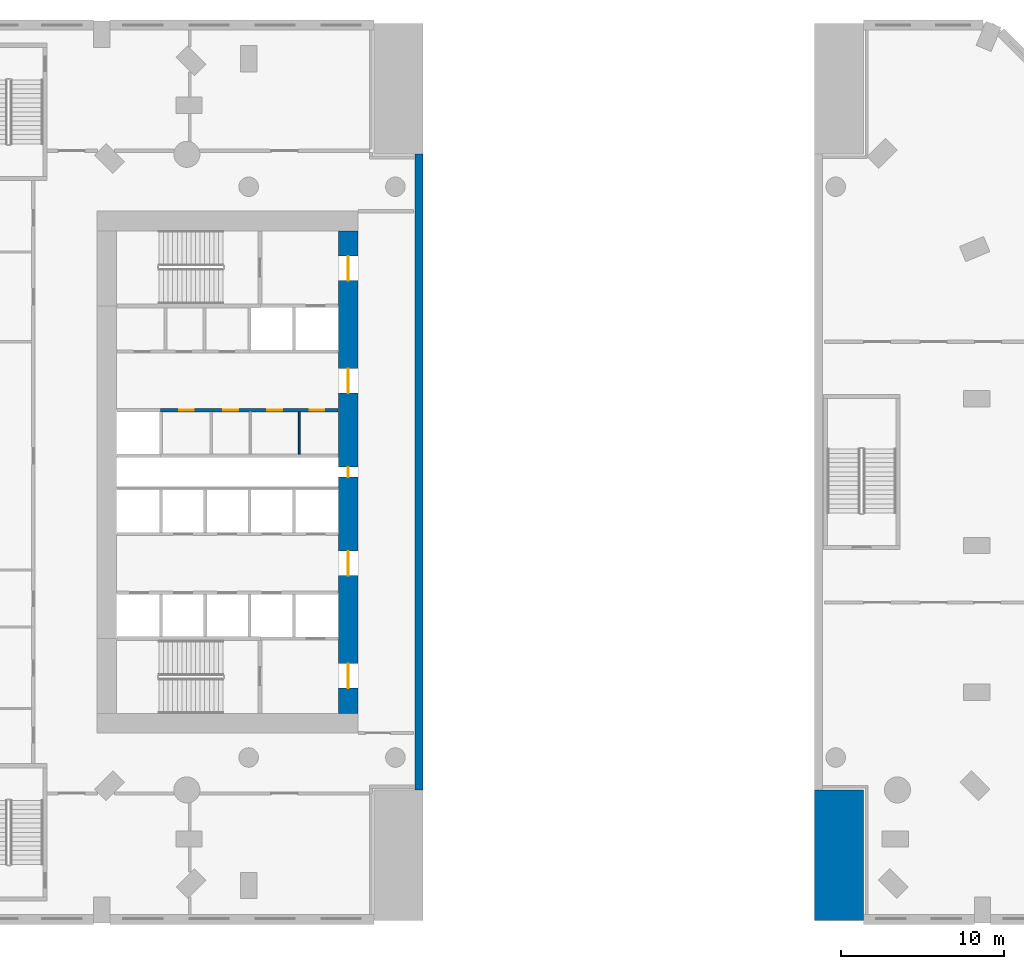
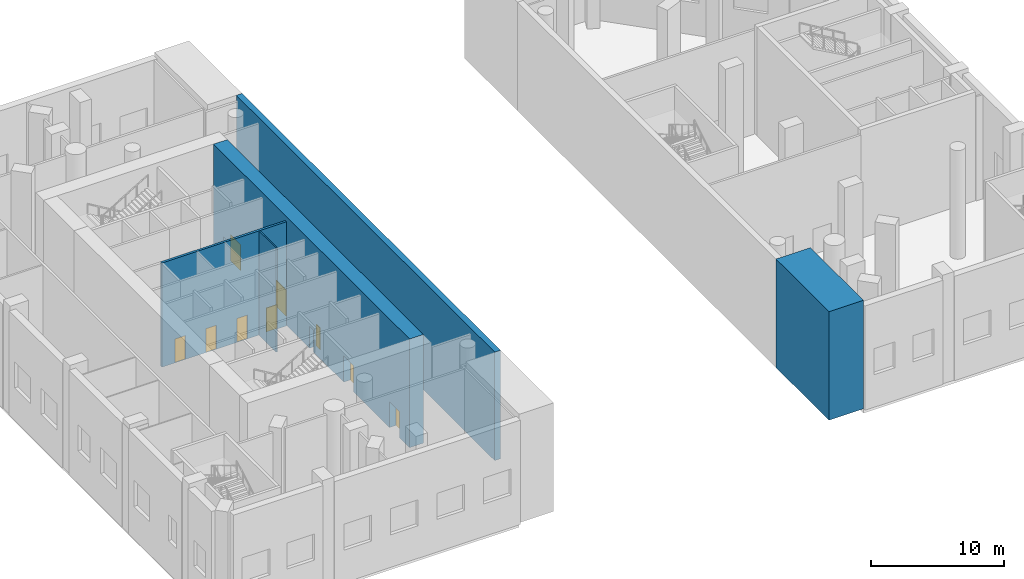
# One storey, part 4 of 16: 9 doors, 5 walls, 9 openings.
"""IFC4 building model written with IfcOpenShell, lengths in metres."""

from ifc_helpers import new_model, si_unit, direction, frame, frame_2d, origin, place, context, subcontext, project, spatial, rectangle, extrude, material, layer, layer_set, type_object, element, fill, save


model = new_model("IFC4")

# Units and contexts
model_context = context("Model", 3, precision=1e-05, world=origin(), true_north=direction((0.0, 1.0)))
body_context = subcontext(model_context, "Body", "Model", "MODEL_VIEW")
ifc_project = project(units=[si_unit("LENGTHUNIT", "METRE"), si_unit("AREAUNIT", "SQUARE_METRE"), si_unit("VOLUMEUNIT", "CUBIC_METRE"), si_unit("PLANEANGLEUNIT", "RADIAN"), si_unit("MASSUNIT", "GRAM", prefix="KILO")], contexts=[model_context])

# Site, building, storey
site_placement = place(None, origin())
site = spatial("IfcSite", under=ifc_project, at=site_placement, CompositionType="ELEMENT")
building_placement = place(site_placement, origin())
building = spatial("IfcBuilding", under=site, at=building_placement, Name="Cypress Arch Tower", CompositionType="ELEMENT")
storey_placement = place(building_placement, frame((0.0, 0.0, 9.0)))
storey = spatial("IfcBuildingStorey", under=building, at=storey_placement, Name="L01", CompositionType="ELEMENT", Elevation=9.0)

# Wall, openings, doors
ifc_material_1 = material(Name="Concrete C80/95", Category="concrete")
ifc_layer_1 = layer(ifc_material_1, 1.199951171875)
ifc_layer_set_1 = layer_set([ifc_layer_1], Name="Core wall CW1200 C80/95")
wall_type_1 = type_object("IfcWallType", Name="Core wall CW1200 C80/95", PredefinedType="SHEAR", material=ifc_layer_set_1)
wall_1_placement = place(storey_placement, frame((-14.60009765625, -14.800048828125, 0.0), z_axis=(0.0, 0.0, 1.0), x_axis=(0.0, 1.0, 0.0)))
wall_1 = element("IfcWall", 1, at=wall_1_placement, inside=storey, type_object=wall_type_1, Name="Core wall", PredefinedType="SHEAR", context=body_context, shape_type="SweptSolid", body=[
    extrude(rectangle(XDim=29.60009765625, YDim=1.199951171875, at=frame_2d((14.800048828125, 0.0))), origin(), (0.0, 0.0, 1.0), 10.0),
])
opening_1_placement = place(wall_1_placement, frame((1.550048828125, 0.0, 0.0)))
opening_1 = element("IfcOpeningElement", 2, at=opening_1_placement, cuts=wall_1, Name="Opening D07", PredefinedType="OPENING", context=body_context, shape_type="SweptSolid", body=[
    extrude(rectangle(XDim=1.5, YDim=2.39990234375, at=frame_2d((0.75, 1.199951171875))), frame((0.0, 0.60986328125, 0.0), z_axis=(0.0, -1.0, 0.0), x_axis=(1.0, 0.0, 0.0)), (0.0, 0.0, 1.0), 1.219970703125),
])
opening_2_placement = place(wall_1_placement, frame((26.550048828125, 0.0, 0.0)))
opening_2 = element("IfcOpeningElement", 3, at=opening_2_placement, cuts=wall_1, Name="Opening D07", PredefinedType="OPENING", context=body_context, shape_type="SweptSolid", body=[
    extrude(rectangle(XDim=1.5, YDim=2.39990234375, at=frame_2d((0.75, 1.199951171875))), frame((0.0, 0.60986328125, 0.0), z_axis=(0.0, -1.0, 0.0), x_axis=(1.0, 0.0, 0.0)), (0.0, 0.0, 1.0), 1.219970703125),
])
opening_3_placement = place(wall_1_placement, frame((8.449951171875, 0.0, 0.0)))
opening_3 = element("IfcOpeningElement", 4, at=opening_3_placement, cuts=wall_1, Name="Opening D07", PredefinedType="OPENING", context=body_context, shape_type="SweptSolid", body=[
    extrude(rectangle(XDim=1.5, YDim=2.39990234375, at=frame_2d((0.75, 1.199951171875))), frame((0.0, 0.60986328125, 0.0), z_axis=(0.0, -1.0, 0.0), x_axis=(1.0, 0.0, 0.0)), (0.0, 0.0, 1.0), 1.219970703125),
])
opening_4_placement = place(wall_1_placement, frame((19.64990234375, 0.0, 0.0)))
opening_4 = element("IfcOpeningElement", 5, at=opening_4_placement, cuts=wall_1, Name="Opening D07", PredefinedType="OPENING", context=body_context, shape_type="SweptSolid", body=[
    extrude(rectangle(XDim=1.5, YDim=2.39990234375, at=frame_2d((0.75, 1.199951171875))), frame((0.0, 0.60986328125, 0.0), z_axis=(0.0, -1.0, 0.0), x_axis=(1.0, 0.0, 0.0)), (0.0, 0.0, 1.0), 1.219970703125),
])
opening_5_placement = place(wall_1_placement, frame((14.5, 0.0, 0.0)))
opening_5 = element("IfcOpeningElement", 6, at=opening_5_placement, cuts=wall_1, Name="Opening D08", PredefinedType="OPENING", context=body_context, shape_type="SweptSolid", body=[
    extrude(rectangle(XDim=0.60009765625, YDim=2.0, at=frame_2d((0.300048828125, 1.0))), frame((0.0, 0.60986328125, 0.0), z_axis=(0.0, -1.0, 0.0), x_axis=(1.0, 0.0, 0.0)), (0.0, 0.0, 1.0), 1.219970703125),
])
ifc_material_2 = material(Name="Steel framed glazed door, fire resisting", Category="steel")
door_type_1 = type_object("IfcDoorType", Name="Lobby door D07 1500x2400", OperationType="DOUBLE_DOOR_SINGLE_SWING", PredefinedType="DOOR", material=ifc_material_2)
door_1_placement = place(opening_1_placement, origin())
door_1 = element("IfcDoor", 7, at=door_1_placement, inside=storey, type_object=door_type_1, Name="Lobby door", OperationType="DOUBLE_DOOR_SINGLE_SWING", OverallHeight=2.39990234375, OverallWidth=1.5, PredefinedType="DOOR", context=body_context, shape_type="SweptSolid", body=[
    extrude(rectangle(XDim=1.5, YDim=2.39990234375, at=frame_2d((0.75, 1.199951171875))), frame((0.0, 0.02490234375, 0.0), z_axis=(0.0, -1.0, 0.0), x_axis=(1.0, 0.0, 0.0)), (0.0, 0.0, 1.0), 0.050048828125),
])
fill(opening_1, door_1)
door_2_placement = place(opening_2_placement, origin())
door_2 = element("IfcDoor", 8, at=door_2_placement, inside=storey, type_object=door_type_1, Name="Lobby door", OperationType="DOUBLE_DOOR_SINGLE_SWING", OverallHeight=2.39990234375, OverallWidth=1.5, PredefinedType="DOOR", context=body_context, shape_type="SweptSolid", body=[
    extrude(rectangle(XDim=1.5, YDim=2.39990234375, at=frame_2d((0.75, 1.199951171875))), frame((0.0, 0.02490234375, 0.0), z_axis=(0.0, -1.0, 0.0), x_axis=(1.0, 0.0, 0.0)), (0.0, 0.0, 1.0), 0.050048828125),
])
fill(opening_2, door_2)
door_3_placement = place(opening_3_placement, origin())
door_3 = element("IfcDoor", 9, at=door_3_placement, inside=storey, type_object=door_type_1, Name="Lobby door", OperationType="DOUBLE_DOOR_SINGLE_SWING", OverallHeight=2.39990234375, OverallWidth=1.5, PredefinedType="DOOR", context=body_context, shape_type="SweptSolid", body=[
    extrude(rectangle(XDim=1.5, YDim=2.39990234375, at=frame_2d((0.75, 1.199951171875))), frame((0.0, 0.02490234375, 0.0), z_axis=(0.0, -1.0, 0.0), x_axis=(1.0, 0.0, 0.0)), (0.0, 0.0, 1.0), 0.050048828125),
])
fill(opening_3, door_3)
door_4_placement = place(opening_4_placement, origin())
door_4 = element("IfcDoor", 10, at=door_4_placement, inside=storey, type_object=door_type_1, Name="Lobby door", OperationType="DOUBLE_DOOR_SINGLE_SWING", OverallHeight=2.39990234375, OverallWidth=1.5, PredefinedType="DOOR", context=body_context, shape_type="SweptSolid", body=[
    extrude(rectangle(XDim=1.5, YDim=2.39990234375, at=frame_2d((0.75, 1.199951171875))), frame((0.0, 0.02490234375, 0.0), z_axis=(0.0, -1.0, 0.0), x_axis=(1.0, 0.0, 0.0)), (0.0, 0.0, 1.0), 0.050048828125),
])
fill(opening_4, door_4)
ifc_material_3 = material(Name="Steel access door, fire resisting", Category="steel")
door_type_2 = type_object("IfcDoorType", Name="Riser access door D08 600x2000", OperationType="SINGLE_SWING_LEFT", PredefinedType="DOOR", material=ifc_material_3)
door_5_placement = place(opening_5_placement, origin())
door_5 = element("IfcDoor", 11, at=door_5_placement, inside=storey, type_object=door_type_2, Name="Riser access door", OperationType="SINGLE_SWING_RIGHT", OverallHeight=2.0, OverallWidth=0.60009765625, PredefinedType="DOOR", context=body_context, shape_type="SweptSolid", body=[
    extrude(rectangle(XDim=0.60009765625, YDim=2.0, at=frame_2d((0.300048828125, 1.0))), frame((0.0, 0.02490234375, 0.0), z_axis=(0.0, -1.0, 0.0), x_axis=(1.0, 0.0, 0.0)), (0.0, 0.0, 1.0), 0.050048828125),
])
fill(opening_5, door_5)

ifc_material_4 = material(Name="Concrete blockwork, plastered, rated", Category="masonry")
ifc_layer_2 = layer(ifc_material_4, 0.199951171875)
ifc_layer_set_2 = layer_set([ifc_layer_2], Name="Corridor wall FW200")
wall_type_2 = type_object("IfcWallType", Name="Corridor wall FW200", PredefinedType="PARTITIONING", material=ifc_layer_set_2)
wall_2_placement = place(storey_placement, frame((-26.10009765625, 3.800048828125, 0.0), z_axis=(0.0, 0.0, 1.0), x_axis=(1.0, 0.0, 0.0)))
wall_2 = element("IfcWall", 12, at=wall_2_placement, inside=storey, type_object=wall_type_2, Name="Corridor wall", PredefinedType="PARTITIONING", context=body_context, shape_type="SweptSolid", body=[
    extrude(rectangle(XDim=10.8701171875, YDim=0.199951171875, at=frame_2d((5.43505859375, 0.0))), origin(), (0.0, 0.0, 1.0), 9.597900390625),
])
opening_6_placement = place(wall_2_placement, frame((1.14990234375, 0.0, 0.0)))
opening_6 = element("IfcOpeningElement", 13, at=opening_6_placement, cuts=wall_2, Name="Opening D05", PredefinedType="OPENING", context=body_context, shape_type="SweptSolid", body=[
    extrude(rectangle(XDim=0.89990234375, YDim=2.199951171875, at=frame_2d((0.449951171875, 1.10009765625))), frame((0.0, 0.10986328125, 0.0), z_axis=(0.0, -1.0, 0.0), x_axis=(1.0, 0.0, 0.0)), (0.0, 0.0, 1.0), 0.219970703125),
])
opening_7_placement = place(wall_2_placement, frame((3.85009765625, 0.0, 0.0)))
opening_7 = element("IfcOpeningElement", 14, at=opening_7_placement, cuts=wall_2, Name="Opening D05", PredefinedType="OPENING", context=body_context, shape_type="SweptSolid", body=[
    extrude(rectangle(XDim=0.89990234375, YDim=2.199951171875, at=frame_2d((0.449951171875, 1.10009765625))), frame((0.0, 0.10986328125, 0.0), z_axis=(0.0, -1.0, 0.0), x_axis=(1.0, 0.0, 0.0)), (0.0, 0.0, 1.0), 0.219970703125),
])
opening_8_placement = place(wall_2_placement, frame((6.550048828125, 0.0, 0.0)))
opening_8 = element("IfcOpeningElement", 15, at=opening_8_placement, cuts=wall_2, Name="Opening D05", PredefinedType="OPENING", context=body_context, shape_type="SweptSolid", body=[
    extrude(rectangle(XDim=0.89990234375, YDim=2.199951171875, at=frame_2d((0.449951171875, 1.10009765625))), frame((0.0, 0.10986328125, 0.0), z_axis=(0.0, -1.0, 0.0), x_axis=(1.0, 0.0, 0.0)), (0.0, 0.0, 1.0), 0.219970703125),
])
opening_9_placement = place(wall_2_placement, frame((9.14990234375, 0.0, 0.0)))
opening_9 = element("IfcOpeningElement", 16, at=opening_9_placement, cuts=wall_2, Name="Opening D05", PredefinedType="OPENING", context=body_context, shape_type="SweptSolid", body=[
    extrude(rectangle(XDim=0.89990234375, YDim=2.199951171875, at=frame_2d((0.449951171875, 1.10009765625))), frame((0.0, 0.10986328125, 0.0), z_axis=(0.0, -1.0, 0.0), x_axis=(1.0, 0.0, 0.0)), (0.0, 0.0, 1.0), 0.219970703125),
])
ifc_material_5 = material(Name="Timber flush door", Category="wood")
door_type_3 = type_object("IfcDoorType", Name="Service door D05 900x2200", OperationType="SINGLE_SWING_LEFT", PredefinedType="DOOR", material=ifc_material_5)
door_6_placement = place(opening_6_placement, origin())
door_6 = element("IfcDoor", 17, at=door_6_placement, inside=storey, type_object=door_type_3, Name="Service door", OperationType="SINGLE_SWING_LEFT", OverallHeight=2.199951171875, OverallWidth=0.89990234375, PredefinedType="DOOR", context=body_context, shape_type="SweptSolid", body=[
    extrude(rectangle(XDim=0.89990234375, YDim=2.199951171875, at=frame_2d((0.449951171875, 1.10009765625))), frame((0.0, 0.02490234375, 0.0), z_axis=(0.0, -1.0, 0.0), x_axis=(1.0, 0.0, 0.0)), (0.0, 0.0, 1.0), 0.050048828125),
])
fill(opening_6, door_6)
door_7_placement = place(opening_7_placement, origin())
door_7 = element("IfcDoor", 18, at=door_7_placement, inside=storey, type_object=door_type_3, Name="Service door", OperationType="SINGLE_SWING_RIGHT", OverallHeight=2.199951171875, OverallWidth=0.89990234375, PredefinedType="DOOR", context=body_context, shape_type="SweptSolid", body=[
    extrude(rectangle(XDim=0.89990234375, YDim=2.199951171875, at=frame_2d((0.449951171875, 1.10009765625))), frame((0.0, 0.02490234375, 0.0), z_axis=(0.0, -1.0, 0.0), x_axis=(1.0, 0.0, 0.0)), (0.0, 0.0, 1.0), 0.050048828125),
])
fill(opening_7, door_7)
door_8_placement = place(opening_8_placement, origin())
door_8 = element("IfcDoor", 19, at=door_8_placement, inside=storey, type_object=door_type_3, Name="Service door", OperationType="SINGLE_SWING_LEFT", OverallHeight=2.199951171875, OverallWidth=0.89990234375, PredefinedType="DOOR", context=body_context, shape_type="SweptSolid", body=[
    extrude(rectangle(XDim=0.89990234375, YDim=2.199951171875, at=frame_2d((0.449951171875, 1.10009765625))), frame((0.0, 0.02490234375, 0.0), z_axis=(0.0, -1.0, 0.0), x_axis=(1.0, 0.0, 0.0)), (0.0, 0.0, 1.0), 0.050048828125),
])
fill(opening_8, door_8)
door_9_placement = place(opening_9_placement, origin())
door_9 = element("IfcDoor", 20, at=door_9_placement, inside=storey, type_object=door_type_3, Name="Service door", OperationType="SINGLE_SWING_RIGHT", OverallHeight=2.199951171875, OverallWidth=0.89990234375, PredefinedType="DOOR", context=body_context, shape_type="SweptSolid", body=[
    extrude(rectangle(XDim=0.89990234375, YDim=2.199951171875, at=frame_2d((0.449951171875, 1.10009765625))), frame((0.0, 0.02490234375, 0.0), z_axis=(0.0, -1.0, 0.0), x_axis=(1.0, 0.0, 0.0)), (0.0, 0.0, 1.0), 0.050048828125),
])
fill(opening_9, door_9)

# Walls
ifc_material_6 = material(Name="Concrete C60/75", Category="concrete")
ifc_layer_3 = layer(ifc_material_6, 0.5)
ifc_layer_set_3 = layer_set([ifc_layer_3], Name="Passage wall 500 Concrete C60/75")
wall_type_3 = type_object("IfcWallType", Name="Passage wall 500 Concrete C60/75", PredefinedType="SOLIDWALL", material=ifc_layer_set_3)
wall_3_placement = place(storey_placement, frame((-10.25, -19.5, 0.0), z_axis=(0.0, 0.0, 1.0), x_axis=(0.0, 1.0, 0.0)))
element("IfcWall", 21, at=wall_3_placement, inside=storey, type_object=wall_type_3, Name="Gate passage wall W L01", PredefinedType="SOLIDWALL", context=body_context, shape_type="SweptSolid", body=[
    extrude(rectangle(XDim=39.0, YDim=0.5, at=frame_2d((19.5, 0.0))), origin(), (0.0, 0.0, 1.0), 10.0),
])
ifc_material_7 = material(Name="Concrete C80/95", Category="concrete")
ifc_layer_4 = layer(ifc_material_7, 3.0)
ifc_layer_set_4 = layer_set([ifc_layer_4], Name="Pier wall 3000 Concrete C80/95")
wall_type_4 = type_object("IfcWallType", Name="Pier wall 3000 Concrete C80/95", PredefinedType="SOLIDWALL", material=ifc_layer_set_4)
wall_4_placement = place(storey_placement, frame((15.5, -27.5, 0.0), z_axis=(0.0, 0.0, 1.0), x_axis=(0.0, 1.0, 0.0)))
element("IfcWall", 22, at=wall_4_placement, inside=storey, type_object=wall_type_4, Name="Gate pier wall PW-ES L01", PredefinedType="SOLIDWALL", context=body_context, shape_type="SweptSolid", body=[
    extrude(rectangle(XDim=8.0, YDim=3.0, at=frame_2d((4.0, 0.0))), origin(), (0.0, 0.0, 1.0), 10.0),
])
ifc_material_8 = material(Name="Moisture resistant board on steel studs, tiled", Category="steel")
ifc_layer_5 = layer(ifc_material_8, 0.10009765625)
ifc_layer_set_5 = layer_set([ifc_layer_5], Name="Wet wall PW100")
wall_type_5 = type_object("IfcWallType", Name="Wet wall PW100", PredefinedType="PARTITIONING", material=ifc_layer_set_5)
wall_5_placement = place(storey_placement, frame((-17.60009765625, 1.10009765625, 0.0), z_axis=(0.0, 0.0, 1.0), x_axis=(0.0, 1.0, 0.0)))
element("IfcWall", 23, at=wall_5_placement, inside=storey, type_object=wall_type_5, Name="Wet wall", PredefinedType="PARTITIONING", context=body_context, shape_type="SweptSolid", body=[
    extrude(rectangle(XDim=2.599853515625, YDim=0.10009765625, at=frame_2d((1.2998046875, 0.0))), origin(), (0.0, 0.0, 1.0), 9.597900390625),
])

save(model, "model.ifc")
